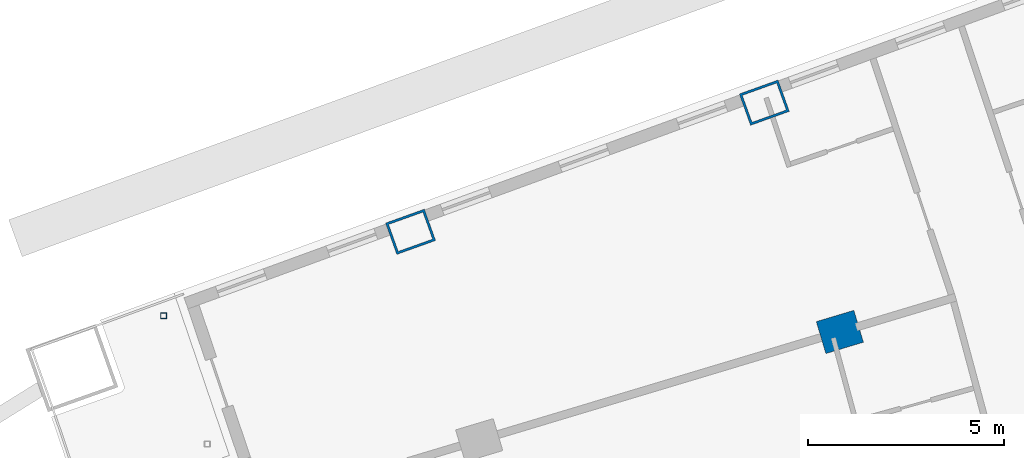
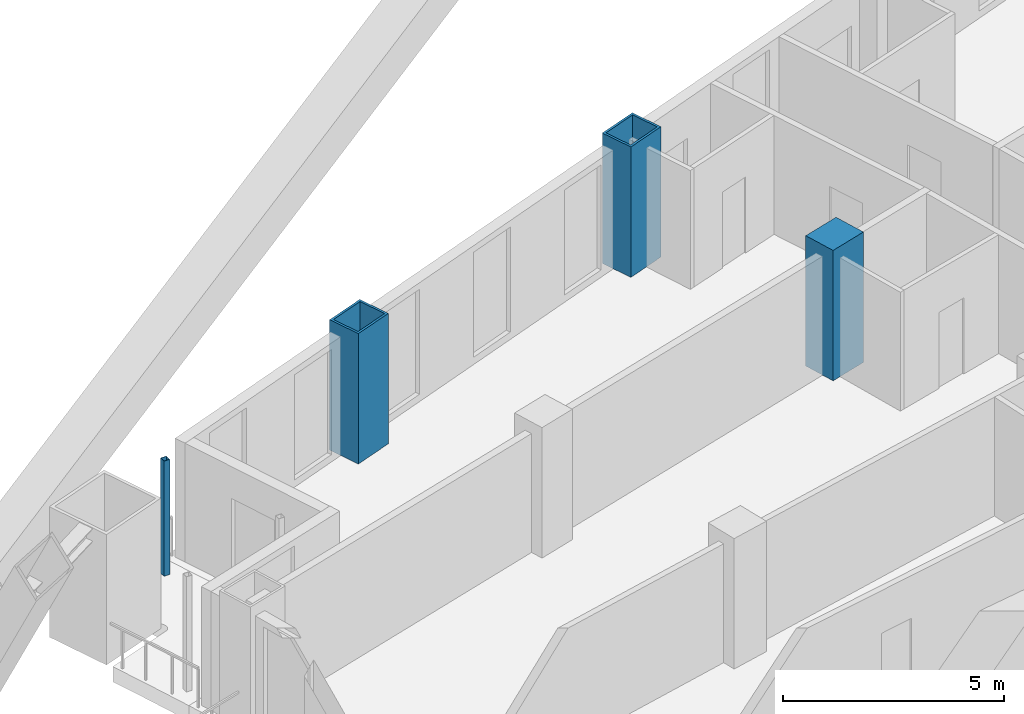
# One storey, part 9 of 26: 4 columns.
"""IFC4 building model written with IfcOpenShell, lengths in metres."""

from ifc_helpers import new_model, si_unit, direction, frame, origin, origin_2d, place, context, subcontext, project, spatial, rectangle, hollow_rectangle, extrude, material, material_profile, profile_set, type_object, element, save


model = new_model("IFC4")

# Units and contexts
model_context = context("Model", 3, precision=1e-05, world=origin(), true_north=direction((0.0, 1.0)))
body_context = subcontext(model_context, "Body", "Model", "MODEL_VIEW")
ifc_project = project(units=[si_unit("LENGTHUNIT", "METRE"), si_unit("AREAUNIT", "SQUARE_METRE"), si_unit("VOLUMEUNIT", "CUBIC_METRE"), si_unit("PLANEANGLEUNIT", "RADIAN"), si_unit("MASSUNIT", "GRAM", prefix="KILO")], contexts=[model_context])

# Site, building, storey
site_placement = place(None, origin())
site = spatial("IfcSite", under=ifc_project, at=site_placement, CompositionType="ELEMENT")
building_placement = place(site_placement, origin())
building = spatial("IfcBuilding", under=site, at=building_placement, Name="Alderwake Tower", CompositionType="ELEMENT")
storey_placement = place(building_placement, frame((0.0, 0.0, 82.39990234375)))
storey = spatial("IfcBuildingStorey", under=building, at=storey_placement, Name="L19", CompositionType="ELEMENT", Elevation=82.39990234375)

# Columns
ifc_material_1 = material(Name="Steel ASTM A572 Grade 50 concrete filled C70/85", Category="concrete")
ifc_material_profile_1 = material_profile(ifc_material_1, hollow_rectangle(XDim=0.85009765625, YDim=1.050048828125, WallThickness=0.06005859375, at=origin_2d()), Name="BOX 1050X850X60")
ifc_profile_set_1 = profile_set([ifc_material_profile_1], Name="Steel ASTM A572 Grade 50 concrete filled C70/85")
column_type_1 = type_object("IfcColumnType", Name="End column Z2", PredefinedType="COLUMN", material=ifc_profile_set_1)
for number, where, z_axis, x_axis, name in (
    (1, (19.965576171875, 96.8515625, 0.0), (0.0, 0.0, 1.0), (-0.337584879279, 0.9412950915, 0.0), "Column R13-C1"),
    (2, (28.983642578125, 100.143310546875, 0.0), (0.0, 0.0, 1.0), (-0.338026774049, 0.941136493834, 0.0), "Column R13-C2"),
):
    element("IfcColumn", number, at=place(storey_placement, frame(where, z_axis=z_axis, x_axis=x_axis)), inside=storey, type_object=column_type_1, Name=name, PredefinedType="COLUMN", context=body_context, shape_type="SweptSolid", body=[
        extrude(hollow_rectangle(XDim=0.85009765625, YDim=1.050048828125, WallThickness=0.06005859375, at=origin_2d()), origin(), (0.0, 0.0, 1.0), 3.60009765625),
    ])
ifc_material_2 = material(Name="Concrete C70/85", Category="concrete")
ifc_material_profile_2 = material_profile(ifc_material_2, rectangle(XDim=0.85009765625, YDim=1.0, at=origin_2d()), Name="RC 1000X850")
ifc_profile_set_2 = profile_set([ifc_material_profile_2], Name="Concrete C70/85")
column_type_2 = type_object("IfcColumnType", Name="Interior column Z2", PredefinedType="COLUMN", material=ifc_profile_set_2)
column_1_placement = place(storey_placement, frame((30.9091796875, 94.298095703125, 0.0), z_axis=(0.0, 0.0, 1.0), x_axis=(-0.287549418125, 0.957765802342, 0.0)))
element("IfcColumn", 3, at=column_1_placement, inside=storey, type_object=column_type_2, Name="Column R12-C2", PredefinedType="COLUMN", context=body_context, shape_type="SweptSolid", body=[
    extrude(rectangle(XDim=0.85009765625, YDim=1.0, at=origin_2d()), origin(), (0.0, 0.0, 1.0), 3.60009765625),
])
ifc_material_3 = material(Name="Steel ASTM A500 Grade C", Category="steel")
ifc_material_profile_3 = material_profile(ifc_material_3, hollow_rectangle(XDim=0.15234375, YDim=0.15234375, WallThickness=0.0087890625, at=origin_2d()), Name="HSS6X6X3/8")
ifc_profile_set_3 = profile_set([ifc_material_profile_3], Name="Steel ASTM A500 Grade C")
column_type_3 = type_object("IfcColumnType", Name="Light post HSS6X6X3/8", PredefinedType="COLUMN", material=ifc_profile_set_3)
column_2_placement = place(storey_placement, frame((13.66796875, 94.71240234375, 0.0), z_axis=(0.0, 0.0, 1.0), x_axis=(1.0, 0.0, 0.0)))
element("IfcColumn", 4, at=column_2_placement, inside=storey, type_object=column_type_3, Name="Terrace post RN2", PredefinedType="COLUMN", context=body_context, shape_type="SweptSolid", body=[
    extrude(hollow_rectangle(XDim=0.15234375, YDim=0.15234375, WallThickness=0.0087890625, at=origin_2d()), origin(), (0.0, 0.0, 1.0), 3.18017578125),
])

save(model, "model.ifc")
